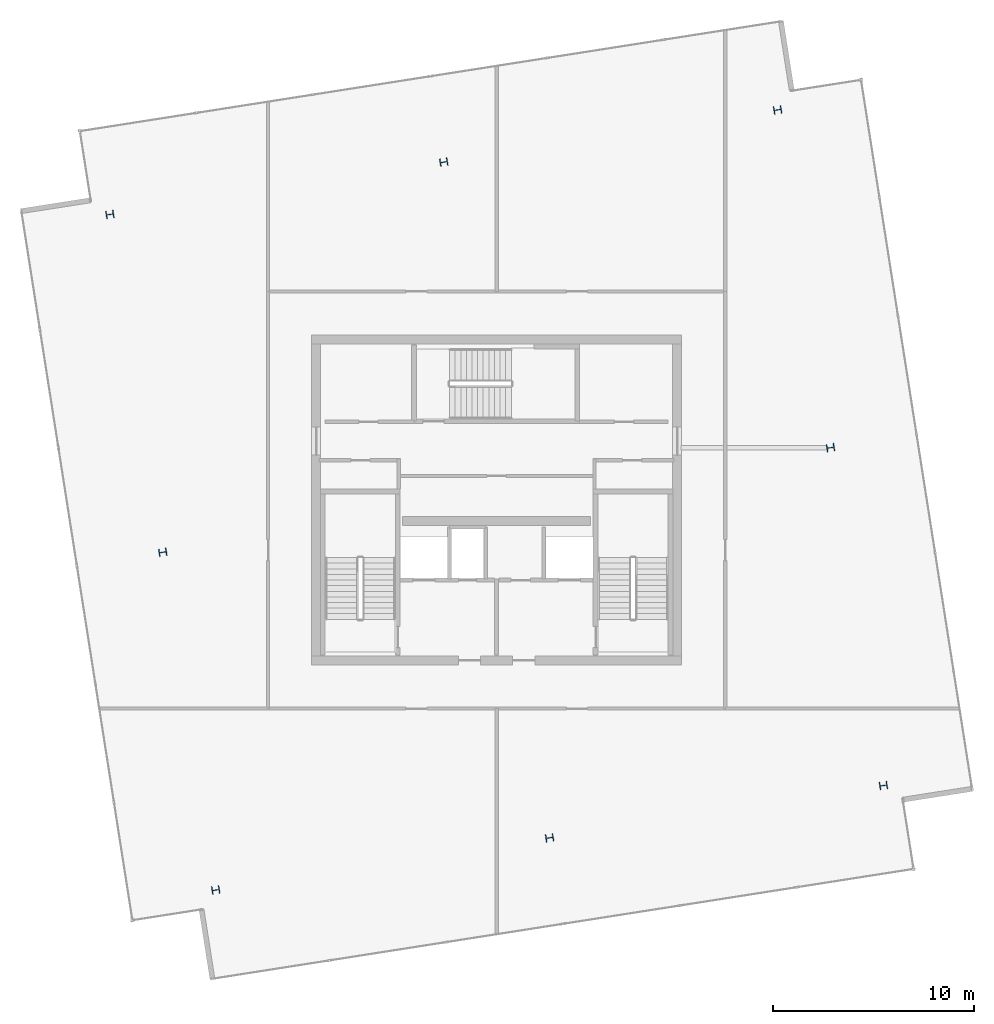
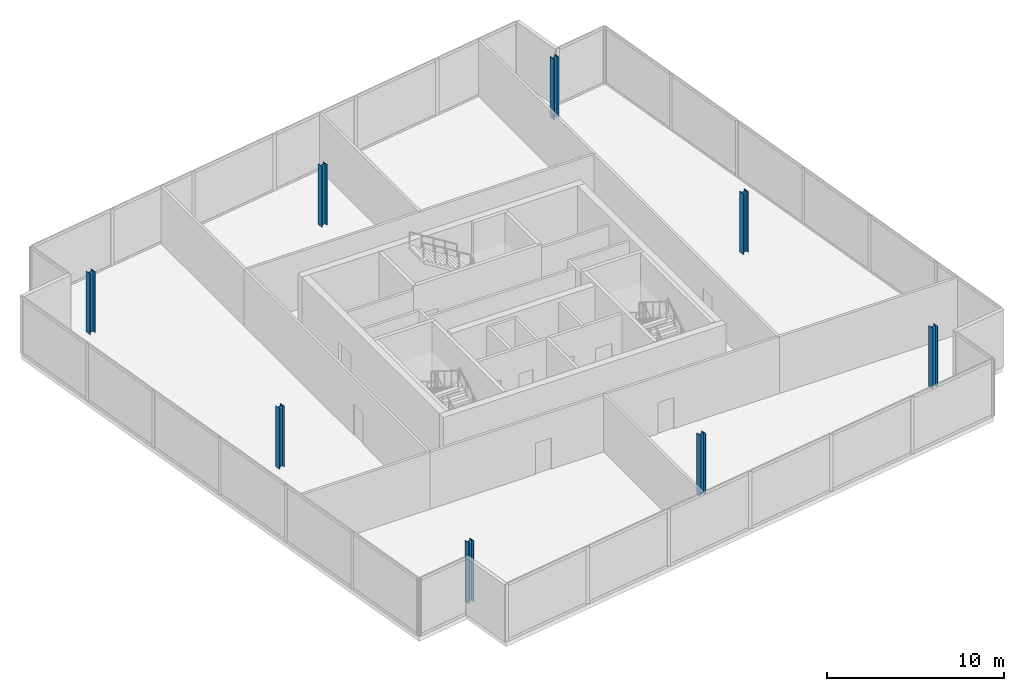
# One storey, part 1 of 13: 8 columns.
"""IFC4 building model written with IfcOpenShell, lengths in metres."""

from ifc_helpers import new_model, si_unit, direction, frame, origin, origin_2d, place, context, subcontext, project, spatial, i_section, extrude, material, material_profile, profile_set, type_object, element, save


model = new_model("IFC4")

# Units and contexts
model_context = context("Model", 3, precision=1e-05, world=origin(), true_north=direction((0.0, 1.0)))
body_context = subcontext(model_context, "Body", "Model", "MODEL_VIEW")
ifc_project = project(units=[si_unit("LENGTHUNIT", "METRE"), si_unit("AREAUNIT", "SQUARE_METRE"), si_unit("VOLUMEUNIT", "CUBIC_METRE"), si_unit("PLANEANGLEUNIT", "RADIAN"), si_unit("MASSUNIT", "GRAM", prefix="KILO")], contexts=[model_context])

# Site, building, storey
site_placement = place(None, origin())
site = spatial("IfcSite", under=ifc_project, at=site_placement, CompositionType="ELEMENT")
building_placement = place(site_placement, origin())
building = spatial("IfcBuilding", under=site, at=building_placement, Name="Haldenkirk Collegiate Tower", CompositionType="ELEMENT")
storey_placement = place(building_placement, frame((0.0, 0.0, 356.39990234375)))
storey = spatial("IfcBuildingStorey", under=building, at=storey_placement, Name="L90", CompositionType="ELEMENT", Elevation=356.39990234375)

# Columns
ifc_material = material(Name="Steel ASTM A913 Grade 65", Category="steel")
ifc_material_profile = material_profile(ifc_material, i_section(OverallWidth=0.3740234375, OverallDepth=0.373046875, WebThickness=0.016357421875, FlangeThickness=0.026123046875, at=origin_2d()), Name="W14X132")
ifc_profile_set = profile_set([ifc_material_profile], Name="Steel ASTM A913 Grade 65")
column_type = type_object("IfcColumnType", Name="COL-INT-W14X132", PredefinedType="COLUMN", material=ifc_profile_set)
for number, where, z_axis, x_axis, name in (
    (1, (55.284912109375, 11.76220703125, 0.0), (0.0, 0.0, 1.0), (-0.154710386299, 0.987959865769, 0.0), "L90 Lantern gravity column CC-1"),
    (2, (52.647216796875, 28.60693359375, 0.0), (0.0, 0.0, 1.0), (-0.154710386299, 0.987959865769, 0.0), "L90 Lantern gravity column CC-2"),
    (3, (50.00927734375, 45.45166015625, 0.0), (0.0, 0.0, 1.0), (-0.154710386299, 0.987959865769, 0.0), "L90 Lantern gravity column CC-3"),
    (4, (33.3623046875, 42.8447265625, 0.0), (0.0, 0.0, 1.0), (-0.154710386299, 0.987959865769, 0.0), "L90 Lantern gravity column CC-4"),
    (5, (16.715087890625, 40.23779296875, 0.0), (0.0, 0.0, 1.0), (-0.154710386299, 0.987959865769, 0.0), "L90 Lantern gravity column CC-5"),
    (6, (19.352783203125, 23.39306640625, 0.0), (0.0, 0.0, 1.0), (-0.154710386299, 0.987959865769, 0.0), "L90 Lantern gravity column CC-6"),
    (7, (21.99072265625, 6.54833984375, 0.0), (0.0, 0.0, 1.0), (-0.154710386299, 0.987959865769, 0.0), "L90 Lantern gravity column CC-7"),
    (8, (38.6376953125, 9.1552734375, 0.0), (0.0, 0.0, 1.0), (-0.154710386299, 0.987959865769, 0.0), "L90 Lantern gravity column CC-8"),
):
    element("IfcColumn", number, at=place(storey_placement, frame(where, z_axis=z_axis, x_axis=x_axis)), inside=storey, type_object=column_type, Name=name, PredefinedType="COLUMN", context=body_context, shape_type="SweptSolid", body=[
        extrude(i_section(OverallWidth=0.3740234375, OverallDepth=0.373046875, WebThickness=0.016357421875, FlangeThickness=0.026123046875, at=origin_2d()), origin(), (0.0, 0.0, 1.0), 4.2001953125),
    ])

save(model, "model.ifc")
